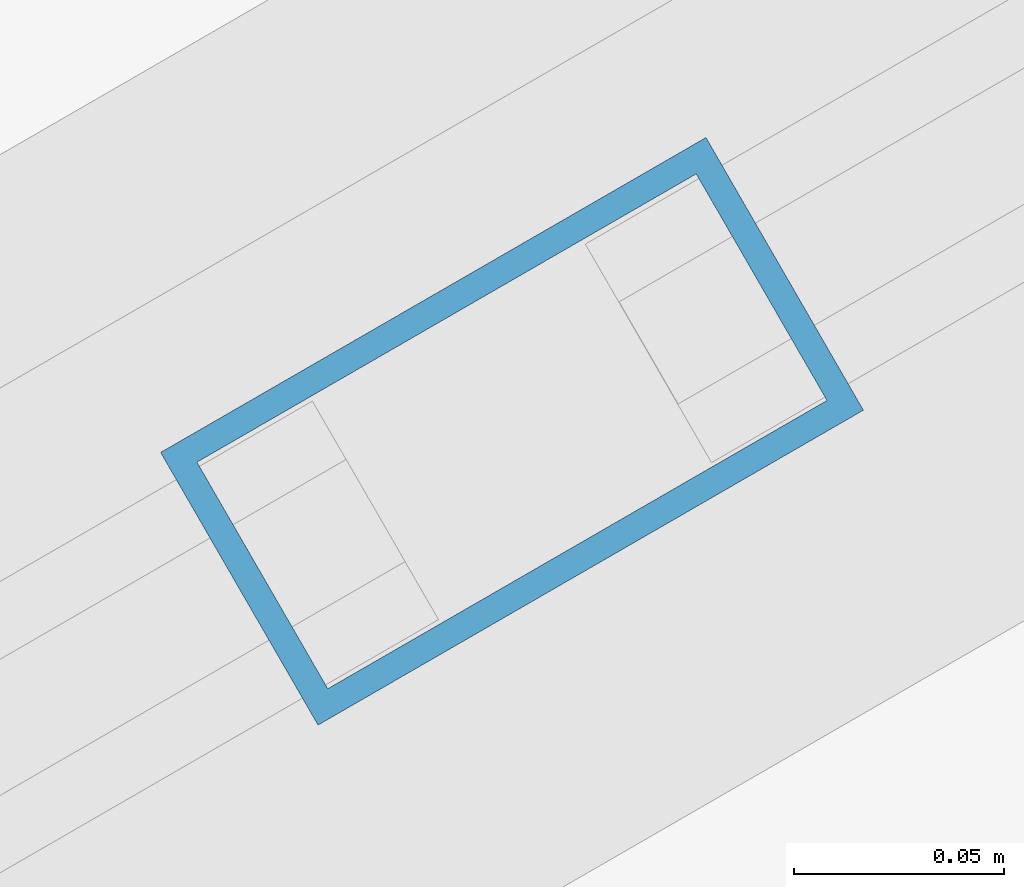
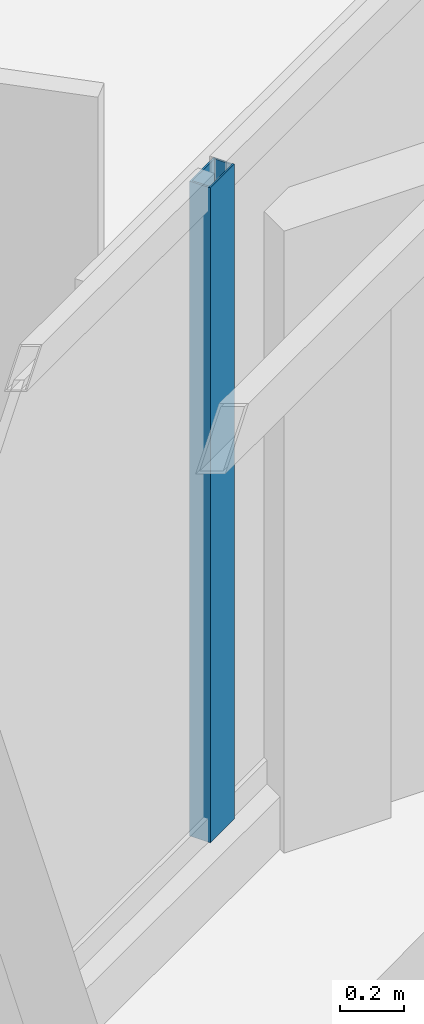
# One storey, part 8 of 19: 1 member, 1 element without a shape of its own.
"""IFC4 building model written with IfcOpenShell, lengths in metres."""

import ifcopenshell
import ifcopenshell.guid

model = None  # the IFC model being written
_history = None  # IfcOwnerHistory: only IFC2X3 demands one
_inside = {}  # id of a spatial element -> (the spatial element, [elements in it])
_under = {}  # id of a project, library or spatial element -> (it, [spatial elements below it])
_declared = {}  # id of a project -> (the project, [libraries it declares])
_typed = {}  # id of a type object -> (the type object, [elements of that type])
_made_of = {}  # id of a material, layer set ... -> (it, [elements and type objects made of it])


def new_model(schema):
    """Start an empty IFC model of exactly this schema.

    Asked for "IFC4X3", IfcOpenShell would pick the latest addendum, in which some entities
    have other attributes; the version numbers below select the first issue.
    IFC2X3 requires an IfcOwnerHistory on every rooted entity: one is made here for all.
    """
    global model, _history
    if schema == "IFC4X3":
        model = ifcopenshell.file(schema_version=(4, 3, 0, 0))
    else:
        model = ifcopenshell.file(schema=schema)
    _inside.clear()
    _under.clear()
    _declared.clear()
    _typed.clear()
    _made_of.clear()
    _history = None
    if model.schema == "IFC2X3":
        org = make("IfcOrganization", Name="unknown")
        user = make(
            "IfcPersonAndOrganization",
            ThePerson=make("IfcPerson", FamilyName="unknown"),
            TheOrganization=org,
        )
        app = make(
            "IfcApplication",
            ApplicationDeveloper=org,
            Version="unknown",
            ApplicationFullName="unknown",
            ApplicationIdentifier="unknown",
        )
        _history = make(
            "IfcOwnerHistory",
            OwningUser=user,
            OwningApplication=app,
            ChangeAction="ADDED",
            CreationDate=0,
        )
    return model


def make(cls, **values):
    """One entity of the class cls with the attributes given. An attribute that is None is left unset."""
    return model.create_entity(
        cls, **{name: value for name, value in values.items() if value is not None}
    )


def rooted(cls, **values):
    """An entity with a GlobalId (a new one), such as an element, a storey or a relation."""
    return make(cls, GlobalId=ifcopenshell.guid.new(), OwnerHistory=_history, **values)


def si_unit(unit_type, name, prefix=None):
    """IfcSIUnit, for example si_unit("LENGTHUNIT", "METRE", prefix="MILLI")."""
    return make("IfcSIUnit", UnitType=unit_type, Prefix=prefix, Name=name)


def assignment(units):
    """IfcUnitAssignment: the units of a project."""
    return None if units is None else make("IfcUnitAssignment", Units=units)


def point(xyz):
    """IfcCartesianPoint."""
    return None if xyz is None else make("IfcCartesianPoint", Coordinates=xyz)


def direction(xyz):
    """IfcDirection."""
    return None if xyz is None else make("IfcDirection", DirectionRatios=xyz)


def frame(location, z_axis=None, x_axis=None):
    """IfcAxis2Placement3D, a coordinate frame: its origin and axes. An axis left out is left unset."""
    return make(
        "IfcAxis2Placement3D",
        Location=point(location),
        Axis=direction(z_axis),
        RefDirection=direction(x_axis),
    )


def frame_2d(location, x_axis=None):
    """IfcAxis2Placement2D, a coordinate frame in the plane: its origin and x axis."""
    return make(
        "IfcAxis2Placement2D", Location=point(location), RefDirection=direction(x_axis)
    )


def origin():
    """The frame at (0, 0, 0) with its axes left unset."""
    return frame((0.0, 0.0, 0.0))


def origin_2d():
    """The frame at (0, 0) in the plane with its x axis left unset."""
    return frame_2d((0.0, 0.0))


def place(relative_to, where):
    """IfcLocalPlacement: puts the frame where relative to a parent placement (None: the world)."""
    return make(
        "IfcLocalPlacement", PlacementRelTo=relative_to, RelativePlacement=where
    )


def context(
    kind, dimensions, precision=None, world=None, true_north=None, identifier=None
):
    """IfcGeometricRepresentationContext, for example the 3D "Model" context."""
    return make(
        "IfcGeometricRepresentationContext",
        ContextIdentifier=identifier,
        ContextType=kind,
        CoordinateSpaceDimension=dimensions,
        Precision=precision,
        WorldCoordinateSystem=world,
        TrueNorth=true_north,
    )


def subcontext(parent, identifier, kind, view, scale=None):
    """IfcGeometricRepresentationSubContext, for example "Body" below "Model"."""
    return make(
        "IfcGeometricRepresentationSubContext",
        ContextIdentifier=identifier,
        ContextType=kind,
        ParentContext=parent,
        TargetScale=scale,
        TargetView=view,
    )


def project(units=None, contexts=None):
    """IfcProject with its units and contexts."""
    return rooted(
        "IfcProject",
        Name="project",
        RepresentationContexts=contexts,
        UnitsInContext=assignment(units),
    )


def spatial(cls, under=None, at=None, **own):
    """A site, building, storey or space (cls), placed at a placement, below another one or the project."""
    s = rooted(cls, ObjectPlacement=at, **own)
    if under is not None:
        _under.setdefault(under.id(), (under, []))[1].append(s)
    return s


def profile(cls, at=None, kind="AREA", **sizes):
    """A parametric profile (cls). Its sizes go by their IFC names, for example OverallWidth=200.0."""
    return make(cls, ProfileType=kind, Position=at, **sizes)


def hollow_rectangle(**sizes):
    """IfcRectangleHollowProfileDef."""
    return profile("IfcRectangleHollowProfileDef", **sizes)


def extrude(swept, where, along, depth):
    """IfcExtrudedAreaSolid: the profile swept, set in the frame where, extruded along a direction by depth."""
    return make(
        "IfcExtrudedAreaSolid",
        SweptArea=swept,
        Position=where,
        ExtrudedDirection=direction(along),
        Depth=depth,
    )


def shape(context_of_items, identifier, shape_type, items):
    """IfcShapeRepresentation: the items that make up one representation, for example the "Body"."""
    return make(
        "IfcShapeRepresentation",
        ContextOfItems=context_of_items,
        RepresentationIdentifier=identifier,
        RepresentationType=shape_type,
        Items=items,
    )


def material(Name=None, Category=None):
    """IfcMaterial."""
    return make("IfcMaterial", Name=Name, Category=Category)


def layer(
    of_material, thickness, ventilated=None, Name=None, Category=None, Priority=None
):
    """IfcMaterialLayer: one layer of a wall or slab, of a material (None: an air gap)."""
    return make(
        "IfcMaterialLayer",
        Material=of_material,
        LayerThickness=thickness,
        IsVentilated=ventilated,
        Name=Name,
        Category=Category,
        Priority=Priority,
    )


def layer_set(layers, Name=None):
    """IfcMaterialLayerSet."""
    return make("IfcMaterialLayerSet", MaterialLayers=layers, LayerSetName=Name)


def material_profile(
    of_material, cross_section, Name=None, Category=None, Priority=None
):
    """IfcMaterialProfile: a cross section and its material."""
    return make(
        "IfcMaterialProfile",
        Name=Name,
        Material=of_material,
        Profile=cross_section,
        Priority=Priority,
        Category=Category,
    )


def profile_set(profiles, Name=None, composite=None):
    """IfcMaterialProfileSet."""
    return make(
        "IfcMaterialProfileSet",
        Name=Name,
        MaterialProfiles=profiles,
        CompositeProfile=composite,
    )


def made_of(thing, what):
    """Note that an element or type object is made of a material, layer set ...; save() writes the relation."""
    if what is not None:
        _made_of.setdefault(what.id(), (what, []))[1].append(thing)
    return thing


def type_object(cls, material=None, **own):
    """A type object (cls), such as IfcWallType, which elements share."""
    return made_of(rooted(cls, **own), material)


def element(
    cls,
    number,
    at=None,
    inside=None,
    cuts=None,
    type_object=None,
    material=None,
    context=None,
    identifier="Body",
    shape_type=None,
    held_by="IfcProductDefinitionShape",
    body=None,
    shapes=None,
    **own,
):
    """One element of the class cls, such as IfcWall. Its Tag is "e" and its number.

    at: its placement. inside: the storey or other place that contains it. cuts: it is an
    opening in that element (IfcRelVoidsElement). A single representation is given by context,
    identifier, shape_type and body (its items); several are given by shapes. held_by: the class
    of the entity that holds the representations. save() writes the other relations.
    """
    e = rooted(cls, Tag="e%d" % number, ObjectPlacement=at, **own)
    if body is not None:
        shapes = [shape(context, identifier, shape_type, body)]
    if shapes is not None:
        e.Representation = make(held_by, Representations=shapes)
    if inside is not None:
        _inside.setdefault(inside.id(), (inside, []))[1].append(e)
    if cuts is not None:
        rooted(
            "IfcRelVoidsElement", RelatingBuildingElement=cuts, RelatedOpeningElement=e
        )
    if type_object is not None:
        _typed.setdefault(type_object.id(), (type_object, []))[1].append(e)
    return made_of(e, material)


def aggregate(whole, parts):
    """IfcRelAggregates: a whole, such as a stair, and the parts it consists of."""
    return rooted("IfcRelAggregates", RelatingObject=whole, RelatedObjects=parts)


def save(model, path):
    """Write the relations noted so far, then the file.

    IfcRelAggregates (storeys below a building ...), IfcRelContainedInSpatialStructure (elements
    in a storey), IfcRelDefinesByType, IfcRelAssociatesMaterial and IfcRelDeclares: one each for
    every whole, place, type object, material and project.
    """
    for whole, parts in _under.values():
        aggregate(whole, parts)
    for where, things in _inside.values():
        rooted(
            "IfcRelContainedInSpatialStructure",
            RelatedElements=things,
            RelatingStructure=where,
        )
    for kind, things in _typed.values():
        rooted("IfcRelDefinesByType", RelatedObjects=things, RelatingType=kind)
    for what, things in _made_of.values():
        rooted("IfcRelAssociatesMaterial", RelatedObjects=things, RelatingMaterial=what)
    for by, libraries in _declared.values():
        rooted("IfcRelDeclares", RelatingContext=by, RelatedDefinitions=libraries)
    model.write(path)


model = new_model("IFC4")

# Units and contexts
model_context = context("Model", 3, precision=1e-05, world=origin(), true_north=direction((0.0, 1.0)))
body_context = subcontext(model_context, "Body", "Model", "MODEL_VIEW")
ifc_project = project(units=[si_unit("LENGTHUNIT", "METRE"), si_unit("AREAUNIT", "SQUARE_METRE"), si_unit("VOLUMEUNIT", "CUBIC_METRE"), si_unit("PLANEANGLEUNIT", "RADIAN"), si_unit("MASSUNIT", "GRAM", prefix="KILO")], contexts=[model_context])

# Site, building, storey
site_placement = place(None, origin())
site = spatial("IfcSite", under=ifc_project, at=site_placement, CompositionType="ELEMENT")
building_placement = place(site_placement, origin())
building = spatial("IfcBuilding", under=site, at=building_placement, Name="Mersakhor Tower and Convention Hall", CompositionType="ELEMENT")
storey_placement = place(building_placement, frame((0.0, 0.0, 175.5)))
storey = spatial("IfcBuildingStorey", under=building, at=storey_placement, Name="L48", CompositionType="ELEMENT", Elevation=175.5)

# Curtain wall, member
ifc_material_1 = material(Name="Dark solar low-E aluminium curtain wall", Category="aluminium")
ifc_layer = layer(ifc_material_1, 0.169921875)
ifc_layer_set = layer_set([ifc_layer], Name="Dark solar low-E aluminium curtain wall")
curtain_wall_type = type_object("IfcCurtainWallType", Name="CW-SYS-02", PredefinedType="USERDEFINED", material=ifc_layer_set)
curtain_wall_placement = place(storey_placement, origin())
curtain_wall = element("IfcCurtainWall", 1, at=curtain_wall_placement, inside=storey, type_object=curtain_wall_type, Name="L48 Dark-Glass Curtain Wall F1-B2", ObjectType="CURTAIN WALL", PredefinedType="USERDEFINED")
ifc_material_2 = material(Name="Anodised aluminium EN AW-6063 T6", Category="aluminium")
ifc_material_profile = material_profile(ifc_material_2, hollow_rectangle(XDim=0.074951171875, YDim=0.14990234375, WallThickness=0.00634765625, at=origin_2d()), Name="RHS 150x75x6.3")
ifc_profile_set = profile_set([ifc_material_profile], Name="Anodised aluminium EN AW-6063 T6")
member_type = type_object("IfcMemberType", Name="CWM-150x75", PredefinedType="MULLION", material=ifc_profile_set)
member_placement = place(storey_placement, frame((24.504638671875, 37.535888671875, 0.199951171875), z_axis=(0.0, 0.0, 1.0), x_axis=(-0.500007824483, 0.86602088627, 0.0)))
member = element("IfcMember", 2, at=member_placement, type_object=member_type, Name="CW-02 mullion 3", PredefinedType="MULLION", context=body_context, shape_type="SweptSolid", body=[
    extrude(hollow_rectangle(XDim=0.074951171875, YDim=0.14990234375, WallThickness=0.00634765625, at=origin_2d()), origin(), (0.0, 0.0, 1.0), 2.489990234375),
])
aggregate(curtain_wall, [member])

save(model, "model.ifc")
